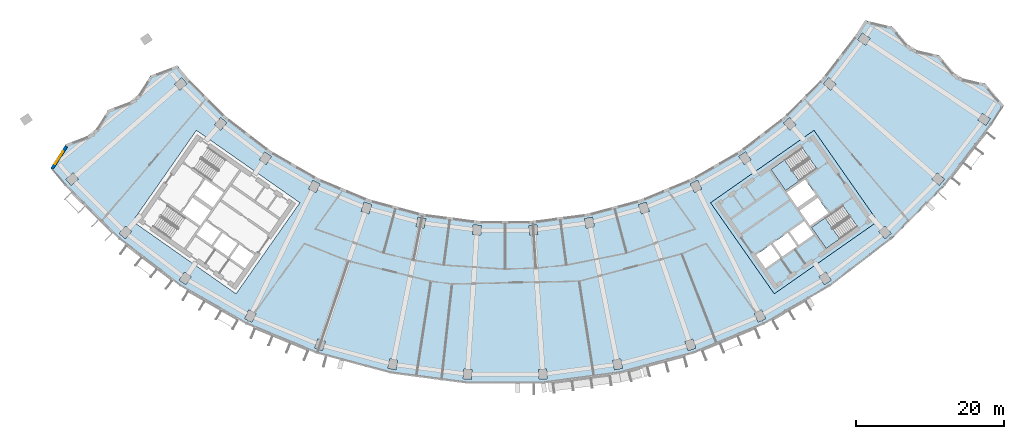
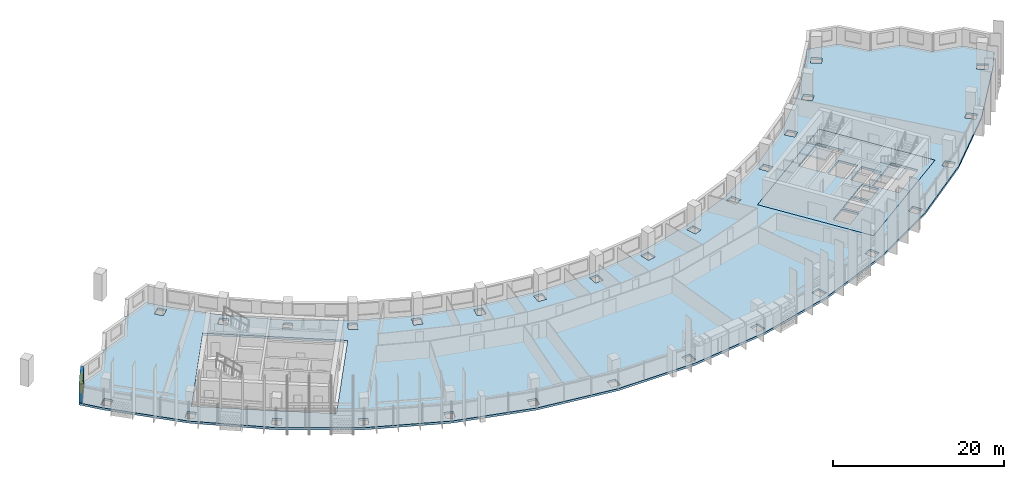
# One storey, part 2 of 27: 4 slabs, 1 wall, 1 window, 1 opening, 2 elements without a shape of their own.
"""IFC4 building model written with IfcOpenShell, lengths in metres."""

from ifc_helpers import new_model, si_unit, direction, frame, frame_2d, origin, place, context, subcontext, project, spatial, polyline, rectangle, outline, extrude, material, layer, layer_set, type_object, element, fill, aggregate, save


model = new_model("IFC4")

# Units and contexts
model_context = context("Model", 3, precision=1e-05, world=origin(), true_north=direction((0.0, 1.0)))
body_context = subcontext(model_context, "Body", "Model", "MODEL_VIEW")
ifc_project = project(units=[si_unit("LENGTHUNIT", "METRE"), si_unit("AREAUNIT", "SQUARE_METRE"), si_unit("VOLUMEUNIT", "CUBIC_METRE"), si_unit("PLANEANGLEUNIT", "RADIAN"), si_unit("MASSUNIT", "GRAM", prefix="KILO")], contexts=[model_context])

# Site, building, storey
site_placement = place(None, origin())
site = spatial("IfcSite", under=ifc_project, at=site_placement, CompositionType="ELEMENT")
building_placement = place(site_placement, origin())
building = spatial("IfcBuilding", under=site, at=building_placement, Name="Qamariyya Broadcast Tower", CompositionType="ELEMENT")
storey_placement = place(building_placement, frame((0.0, 0.0, 179.699951171875)))
storey = spatial("IfcBuildingStorey", under=building, at=storey_placement, Name="L42", CompositionType="ELEMENT", Elevation=179.699951171875)

# Slabs
ifc_material_1 = material(Name="Concrete C40/50", Category="concrete")
ifc_layer_1 = layer(ifc_material_1, 0.300048828125)
ifc_layer_set_1 = layer_set([ifc_layer_1], Name="Core floor slab 300 mm Concrete C40/50")
slab_type_1 = type_object("IfcSlabType", Name="Core floor slab 300 mm Concrete C40/50", PredefinedType="FLOOR", material=ifc_layer_set_1)
slab_1_placement = place(storey_placement, frame((0.0, 0.0, -0.300048828125)))
element("IfcSlab", 1, at=slab_1_placement, inside=storey, type_object=slab_type_1, Name="k-E-L42-slab", PredefinedType="FLOOR", context=body_context, shape_type="SweptSolid", body=[
    extrude(outline(polyline([(36.32373046875, -66.734375), (50.286376953125, -56.95751953125), (41.6826171875, -44.67041015625), (27.719970703125, -54.447021484375), (36.32373046875, -66.734375)]), holes=[polyline([(33.87353515625, -61.49169921875), (35.88037109375, -60.08642578125), (37.142333984375, -61.888427734375), (35.13525390625, -63.293701171875), (33.87353515625, -61.49169921875)]), polyline([(36.126220703125, -59.914306640625), (38.133056640625, -58.509033203125), (39.394775390625, -60.311279296875), (37.387939453125, -61.716552734375), (36.126220703125, -59.914306640625)]), polyline([(38.378662109375, -58.3369140625), (40.3857421875, -56.931640625), (41.6474609375, -58.73388671875), (39.640625, -60.13916015625), (38.378662109375, -58.3369140625)]), polyline([(39.742431640625, -55.489990234375), (42.199951171875, -53.769287109375), (43.6337890625, -55.817138671875), (41.17626953125, -57.537841796875), (39.742431640625, -55.489990234375)]), polyline([(39.45556640625, -55.080322265625), (41.9130859375, -53.359619140625), (40.47900390625, -51.311767578125), (38.021728515625, -53.032470703125), (39.45556640625, -55.080322265625)]), polyline([(40.082275390625, -47.01171875), (35.870849609375, -49.960693359375), (37.849609375, -52.78662109375), (42.06103515625, -49.837890625), (40.082275390625, -47.01171875)]), polyline([(45.559814453125, -54.834716796875), (41.348388671875, -57.783447265625), (43.3271484375, -60.609619140625), (47.538818359375, -57.66064453125), (45.559814453125, -54.834716796875)])]), origin(), (0.0, 0.0, 1.0), 0.300048828125),
])
ifc_layer_2 = layer(ifc_material_1, 0.300048828125)
ifc_layer_set_2 = layer_set([ifc_layer_2], Name="Post-tensioned floor slab 300 C40/50")
slab_type_2 = type_object("IfcSlabType", Name="Post-tensioned floor slab 300 C40/50", PredefinedType="FLOOR", material=ifc_layer_set_2)
slab_2_placement = place(storey_placement, frame((0.0, 0.0, -0.300048828125)))
element("IfcSlab", 2, at=slab_2_placement, inside=storey, type_object=slab_type_2, Name="Floor slab S4 L42", PredefinedType="FLOOR", context=body_context, shape_type="SweptSolid", body=[
    extrude(outline(polyline([(-59.26123046875, -46.510498046875), (-61.36083984375, -49.758056640625), (-59.395263671875, -52.08837890625), (-52.08837890625, -59.395263671875), (-43.89013671875, -65.68603515625), (-34.94091796875, -70.85302734375), (-25.393798828125, -74.807373046875), (-15.412109375, -77.48193359375), (-5.166748046875, -78.830810546875), (5.166748046875, -78.830810546875), (15.412109375, -77.48193359375), (25.393798828125, -74.807373046875), (34.94091796875, -70.85302734375), (43.89013671875, -65.68603515625), (52.08837890625, -59.395263671875), (59.395263671875, -52.08837890625), (65.68603515625, -43.89013671875), (67.33056640625, -41.322998046875), (64.824951171875, -38.37744140625), (61.080322265625, -37.4873046875), (58.573974609375, -34.541015625), (54.830322265625, -33.6513671875), (52.32275390625, -30.70458984375), (48.580322265625, -29.8154296875), (47.393798828125, -31.66748046875), (42.85498046875, -37.582763671875), (37.582763671875, -42.85498046875), (31.66748046875, -47.393798828125), (25.21044921875, -51.121826171875), (18.322021484375, -53.97509765625), (11.1201171875, -55.90478515625), (3.72802734375, -56.8779296875), (-3.72802734375, -56.8779296875), (-11.1201171875, -55.90478515625), (-18.322021484375, -53.97509765625), (-25.21044921875, -51.121826171875), (-31.66748046875, -47.393798828125), (-37.582763671875, -42.85498046875), (-42.85498046875, -37.582763671875), (-44.27294921875, -35.9013671875), (-47.867431640625, -37.271240234375), (-49.968994140625, -40.520263671875), (-53.564453125, -41.890869140625), (-55.664794921875, -45.13916015625), (-59.26123046875, -46.510498046875)]), holes=[polyline([(-5.676513671875, -78.1962890625), (-5.59130859375, -76.89892578125), (-4.49365234375, -76.970947265625), (-4.578857421875, -78.26806640625), (-5.676513671875, -78.1962890625)]), polyline([(-15.83447265625, -76.786376953125), (-15.580810546875, -75.51123046875), (-14.501953125, -75.725830078125), (-14.755615234375, -77.0009765625), (-15.83447265625, -76.786376953125)]), polyline([(-25.7216796875, -74.0625), (-25.3037109375, -72.83154296875), (-24.26220703125, -73.18505859375), (-24.679931640625, -74.416015625), (-25.7216796875, -74.0625)]), polyline([(-35.168701171875, -70.071533203125), (-34.59375, -68.905517578125), (-33.607177734375, -69.39208984375), (-34.18212890625, -70.55810546875), (-35.168701171875, -70.071533203125)]), polyline([(-44.013916015625, -64.881591796875), (-43.291748046875, -63.80078125), (-42.377197265625, -64.411865234375), (-43.099365234375, -65.49267578125), (-44.013916015625, -64.881591796875)]), polyline([(-52.106201171875, -58.58154296875), (-51.2490234375, -57.604248046875), (-50.422119140625, -58.32958984375), (-51.279296875, -59.306884765625), (-52.106201171875, -58.58154296875)]), polyline([(-4.401123046875, -58.738037109375), (-4.316162109375, -57.440673828125), (-3.218505859375, -57.5126953125), (-3.303466796875, -58.809814453125), (-4.401123046875, -58.738037109375)]), polyline([(-12.0302734375, -57.660888671875), (-11.776611328125, -56.385986328125), (-10.69775390625, -56.6005859375), (-10.951416015625, -57.87548828125), (-12.0302734375, -57.660888671875)]), polyline([(-50.286376953125, -56.95751953125), (-41.6826171875, -44.67041015625), (-27.719970703125, -54.447021484375), (-36.32373046875, -66.734375), (-50.286376953125, -56.95751953125)]), polyline([(-19.45361328125, -55.597412109375), (-19.03564453125, -54.366455078125), (-17.994140625, -54.719970703125), (-18.411865234375, -55.950927734375), (-19.45361328125, -55.597412109375)]), polyline([(-26.544189453125, -52.58251953125), (-25.968994140625, -51.41650390625), (-24.982666015625, -51.903076171875), (-25.5576171875, -53.069091796875), (-26.544189453125, -52.58251953125)]), polyline([(-59.306884765625, -51.279296875), (-58.32958984375, -50.422119140625), (-57.604248046875, -51.2490234375), (-58.58154296875, -52.106201171875), (-59.306884765625, -51.279296875)]), polyline([(-33.180419921875, -48.66796875), (-32.458251953125, -47.587158203125), (-31.54345703125, -48.1982421875), (-32.265869140625, -49.279052734375), (-33.180419921875, -48.66796875)]), polyline([(-39.2490234375, -43.920654296875), (-38.391845703125, -42.943359375), (-37.564697265625, -43.668701171875), (-38.421875, -44.64599609375), (-39.2490234375, -43.920654296875)]), polyline([(-43.668701171875, -37.564697265625), (-42.943359375, -38.391845703125), (-43.920654296875, -39.2490234375), (-44.64599609375, -38.421875), (-43.668701171875, -37.564697265625)]), polyline([(4.578857421875, -78.26806640625), (4.49365234375, -76.970947265625), (5.59130859375, -76.89892578125), (5.676513671875, -78.1962890625), (4.578857421875, -78.26806640625)]), polyline([(14.755615234375, -77.0009765625), (14.501953125, -75.725830078125), (15.580810546875, -75.51123046875), (15.83447265625, -76.786376953125), (14.755615234375, -77.0009765625)]), polyline([(24.679931640625, -74.416015625), (24.26220703125, -73.18505859375), (25.3037109375, -72.83154296875), (25.7216796875, -74.0625), (24.679931640625, -74.416015625)]), polyline([(34.18212890625, -70.55810546875), (33.607177734375, -69.39208984375), (34.59375, -68.905517578125), (35.168701171875, -70.071533203125), (34.18212890625, -70.55810546875)]), polyline([(43.099365234375, -65.49267578125), (42.377197265625, -64.411865234375), (43.291748046875, -63.80078125), (44.013916015625, -64.881591796875), (43.099365234375, -65.49267578125)]), polyline([(51.279296875, -59.306884765625), (50.422119140625, -58.32958984375), (51.2490234375, -57.604248046875), (52.106201171875, -58.58154296875), (51.279296875, -59.306884765625)]), polyline([(3.303466796875, -58.809814453125), (3.218505859375, -57.5126953125), (4.316162109375, -57.440673828125), (4.401123046875, -58.738037109375), (3.303466796875, -58.809814453125)]), polyline([(10.951416015625, -57.87548828125), (10.69775390625, -56.6005859375), (11.776611328125, -56.385986328125), (12.0302734375, -57.660888671875), (10.951416015625, -57.87548828125)]), polyline([(36.32373046875, -66.734375), (27.719970703125, -54.447021484375), (41.6826171875, -44.67041015625), (50.286376953125, -56.95751953125), (36.32373046875, -66.734375)]), polyline([(18.411865234375, -55.950927734375), (17.994140625, -54.719970703125), (19.03564453125, -54.366455078125), (19.45361328125, -55.597412109375), (18.411865234375, -55.950927734375)]), polyline([(25.5576171875, -53.069091796875), (24.982666015625, -51.903076171875), (25.968994140625, -51.41650390625), (26.544189453125, -52.58251953125), (25.5576171875, -53.069091796875)]), polyline([(58.58154296875, -52.106201171875), (57.604248046875, -51.2490234375), (58.32958984375, -50.422119140625), (59.306884765625, -51.279296875), (58.58154296875, -52.106201171875)]), polyline([(32.265869140625, -49.279052734375), (31.54345703125, -48.1982421875), (32.458251953125, -47.587158203125), (33.180419921875, -48.66796875), (32.265869140625, -49.279052734375)]), polyline([(38.421875, -44.64599609375), (37.564697265625, -43.668701171875), (38.391845703125, -42.943359375), (39.2490234375, -43.920654296875), (38.421875, -44.64599609375)]), polyline([(64.881591796875, -44.013916015625), (63.80078125, -43.291748046875), (64.411865234375, -42.377197265625), (65.49267578125, -43.099365234375), (64.881591796875, -44.013916015625)]), polyline([(42.943359375, -38.391845703125), (43.668701171875, -37.564697265625), (44.64599609375, -38.421875), (43.920654296875, -39.2490234375), (42.943359375, -38.391845703125)]), polyline([(47.587158203125, -32.458251953125), (48.1982421875, -31.54345703125), (49.279052734375, -32.265869140625), (48.66796875, -33.180419921875), (47.587158203125, -32.458251953125)])]), origin(), (0.0, 0.0, 1.0), 0.300048828125),
])

# Stair, slab
ifc_material_2 = material(Name="Concrete C50/60", Category="concrete")
stair_type = type_object("IfcStairType", Name="Exit stair 22 risers of 173 mm", PredefinedType="HALF_TURN_STAIR", material=ifc_material_2)
stair_1_placement = place(storey_placement, origin())
stair_1 = element("IfcStair", 3, at=stair_1_placement, inside=storey, type_object=stair_type, Name="L42 Stair E2", PredefinedType="HALF_TURN_STAIR")
ifc_layer_3 = layer(ifc_material_2, 0.199951171875)
ifc_layer_set_3 = layer_set([ifc_layer_3], Name="Stair landing")
slab_type_3 = type_object("IfcSlabType", Name="Stair landing", PredefinedType="LANDING", material=ifc_layer_set_3)
slab_3_placement = place(storey_placement, frame((0.0, 0.0, 1.699951171875)))
slab_3 = element("IfcSlab", 4, at=slab_3_placement, type_object=slab_type_3, Name="ST-E2 landing 1", PredefinedType="LANDING", context=body_context, shape_type="SweptSolid", body=[
    extrude(outline(polyline([(37.71337890625, -48.67041015625), (35.870849609375, -49.960693359375), (37.849609375, -52.78662109375), (39.692138671875, -51.49658203125), (37.71337890625, -48.67041015625)])), origin(), (0.0, 0.0, 1.0), 0.2001953125),
])
aggregate(stair_1, [slab_3])

stair_2_placement = place(storey_placement, origin())
stair_2 = element("IfcStair", 5, at=stair_2_placement, inside=storey, type_object=stair_type, Name="L42 Stair E1", PredefinedType="HALF_TURN_STAIR")
slab_4_placement = place(storey_placement, frame((0.0, 0.0, 1.699951171875)))
slab_4 = element("IfcSlab", 6, at=slab_4_placement, type_object=slab_type_3, Name="ST-E1 landing 1", PredefinedType="LANDING", context=body_context, shape_type="SweptSolid", body=[
    extrude(outline(polyline([(43.19091796875, -56.493408203125), (41.348388671875, -57.783447265625), (43.3271484375, -60.609619140625), (45.169677734375, -59.319580078125), (43.19091796875, -56.493408203125)])), origin(), (0.0, 0.0, 1.0), 0.2001953125),
])
aggregate(stair_2, [slab_4])

# Wall, opening, window
ifc_material_3 = material(Name="Terracotta", Category="masonry")
ifc_layer_4 = layer(ifc_material_3, 0.39990234375)
ifc_layer_set_4 = layer_set([ifc_layer_4], Name="Terracotta clad wall 400")
wall_type = type_object("IfcWallType", Name="Terracotta clad wall 400", PredefinedType="SOLIDWALL", material=ifc_layer_set_4)
wall_placement = place(storey_placement, frame((-59.245361328125, -46.854248046875, 0.0), z_axis=(0.0, 0.0, 1.0), x_axis=(-0.542943627258, -0.839769145432, 0.0)))
wall = element("IfcWall", 7, at=wall_placement, inside=storey, type_object=wall_type, Name="e-wl-L42-capW5", PredefinedType="SOLIDWALL", context=body_context, shape_type="SweptSolid", body=[
    extrude(rectangle(XDim=3.5869140625, YDim=0.39990234375, at=frame_2d((1.79345703125, 0.0))), origin(), (0.0, 0.0, 1.0), 2.699951171875),
])
opening_placement = place(wall_placement, frame((0.79345703125, 0.0, 0.89990234375)))
opening = element("IfcOpeningElement", 8, at=opening_placement, cuts=wall, Name="Opening W4", PredefinedType="OPENING", context=body_context, shape_type="SweptSolid", body=[
    extrude(rectangle(XDim=2.0, YDim=1.5, at=frame_2d((1.0, 0.75))), frame((0.0, 0.2099609375, 0.0), z_axis=(0.0, -1.0, 0.0), x_axis=(1.0, 0.0, 0.0)), (0.0, 0.0, 1.0), 0.419921875),
])
ifc_material_4 = material(Name="Clear low-e double glazed unit in aluminium frame", Category="aluminium")
window_type = type_object("IfcWindowType", Name="Horn bay window 2000 x 1500", PartitioningType="SINGLE_PANEL", PredefinedType="WINDOW", material=ifc_material_4)
window_placement = place(opening_placement, origin())
window = element("IfcWindow", 9, at=window_placement, inside=storey, type_object=window_type, Name="e-w-L42-capW5", OverallHeight=1.5, OverallWidth=2.0, PartitioningType="SINGLE_PANEL", PredefinedType="WINDOW", context=body_context, shape_type="SweptSolid", body=[
    extrude(rectangle(XDim=2.0, YDim=1.5, at=frame_2d((1.0, 0.75))), frame((0.0, 0.030029296875, 0.0), z_axis=(0.0, -1.0, 0.0), x_axis=(1.0, 0.0, 0.0)), (0.0, 0.0, 1.0), 0.06005859375),
])
fill(opening, window)

save(model, "model.ifc")
